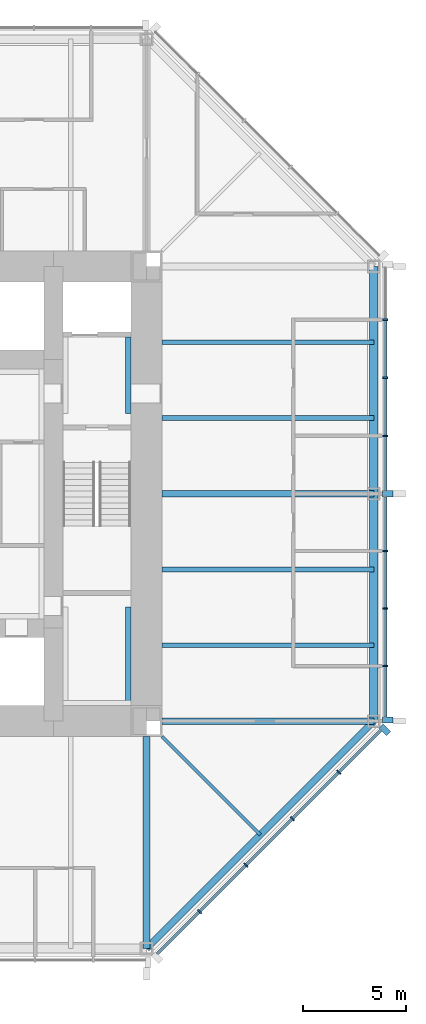
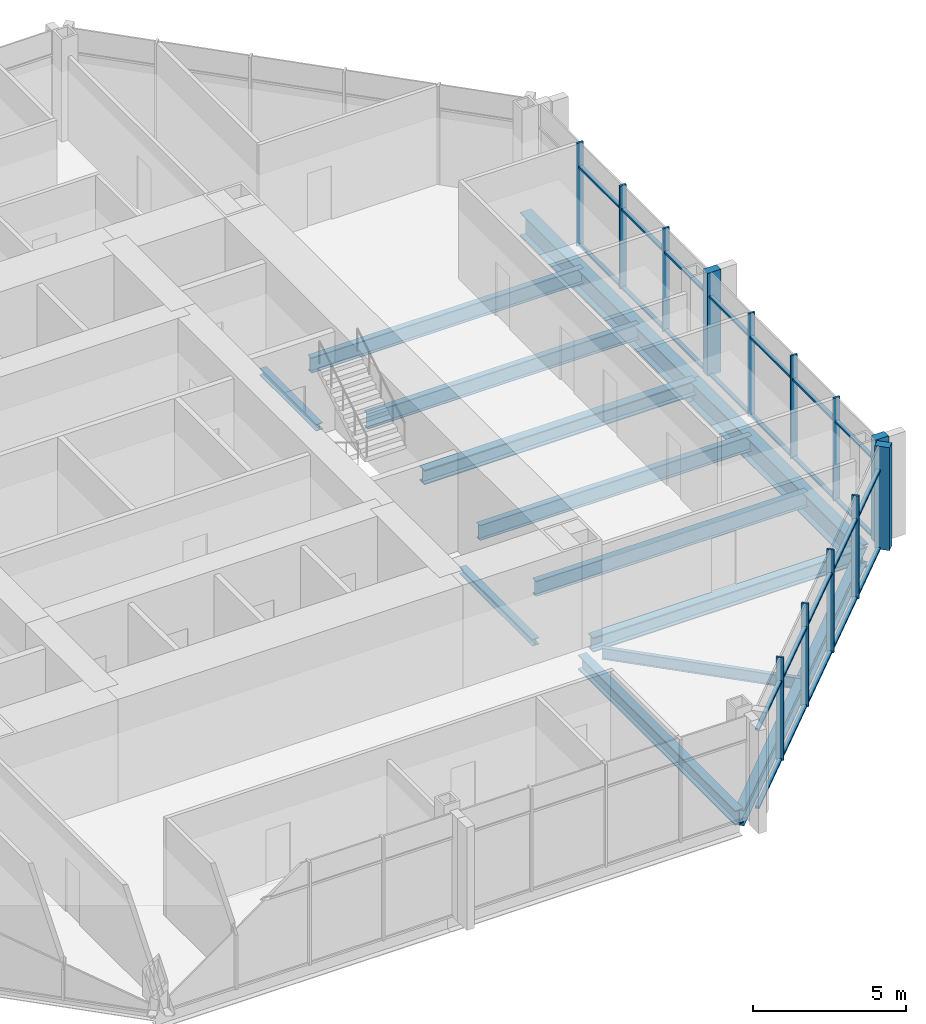
# One storey, part 4 of 12: 37 members, 13 beams, 2 elements without a shape of their own.
"""IFC4 building model written with IfcOpenShell, lengths in metres."""

from ifc_helpers import new_model, si_unit, direction, frame, origin, origin_2d, place, context, subcontext, project, spatial, rectangle, i_section, extrude, material, material_profile, profile_set, type_object, element, aggregate, save


model = new_model("IFC4")

# Units and contexts
model_context = context("Model", 3, precision=1e-05, world=origin(), true_north=direction((0.0, 1.0)))
body_context = subcontext(model_context, "Body", "Model", "MODEL_VIEW")
ifc_project = project(units=[si_unit("LENGTHUNIT", "METRE"), si_unit("AREAUNIT", "SQUARE_METRE"), si_unit("VOLUMEUNIT", "CUBIC_METRE"), si_unit("PLANEANGLEUNIT", "RADIAN"), si_unit("MASSUNIT", "GRAM", prefix="KILO")], contexts=[model_context])

# Site, building, storey
site_placement = place(None, origin())
site = spatial("IfcSite", under=ifc_project, at=site_placement, CompositionType="ELEMENT")
building_placement = place(site_placement, origin())
building = spatial("IfcBuilding", under=site, at=building_placement, Name="Trevanion Tower", CompositionType="ELEMENT")
storey_placement = place(building_placement, frame((0.0, 0.0, 154.10009765625)))
storey = spatial("IfcBuildingStorey", under=building, at=storey_placement, Name="L36", CompositionType="ELEMENT", Elevation=154.10009765625)

# Beams
ifc_material_1 = material(Name="Steel ASTM A992 Grade 50", Category="steel")
ifc_material_profile_1 = material_profile(ifc_material_1, i_section(OverallWidth=0.22900390625, OverallDepth=0.612060546875, WebThickness=0.011962890625, FlangeThickness=0.01953125, at=origin_2d()), Name="W24X84")
ifc_profile_set_1 = profile_set([ifc_material_profile_1], Name="Steel ASTM A992 Grade 50")
beam_type_1 = type_object("IfcBeamType", Name="B7 W24X84", PredefinedType="BEAM", material=ifc_profile_set_1)
for number, where, z_axis, x_axis, name in (
    (1, (11.75, -7.333251953125, -0.49609375), (1.0, 0.0, 0.0), (0.0, 1.0, 0.0), "B7 L36"),
    (2, (11.75, -3.666748046875, -0.49609375), (1.0, 0.0, 0.0), (0.0, 1.0, 0.0), "B7 L36"),
    (3, (11.75, 3.666748046875, -0.49609375), (1.0, 0.0, 0.0), (0.0, 1.0, 0.0), "B7 L36"),
    (4, (11.75, 7.333251953125, -0.49609375), (1.0, 0.0, 0.0), (0.0, 1.0, 0.0), "B7 L36"),
):
    element("IfcBeam", number, at=place(storey_placement, frame(where, z_axis=z_axis, x_axis=x_axis)), inside=storey, type_object=beam_type_1, Name=name, PredefinedType="BEAM", context=body_context, shape_type="SweptSolid", body=[
        extrude(i_section(OverallWidth=0.22900390625, OverallDepth=0.612060546875, WebThickness=0.011962890625, FlangeThickness=0.01953125, at=origin_2d()), origin(), (0.0, 0.0, 1.0), 10.25),
    ])
ifc_material_2 = material(Name="Steel ASTM A992 Grade 50", Category="steel")
ifc_material_profile_2 = material_profile(ifc_material_2, i_section(OverallWidth=0.15234375, OverallDepth=0.449462890625, WebThickness=0.007568359375, FlangeThickness=0.0107421875, at=origin_2d()), Name="W18X35")
ifc_profile_set_2 = profile_set([ifc_material_profile_2], Name="Steel ASTM A992 Grade 50")
beam_type_2 = type_object("IfcBeamType", Name="B8 W18X35", PredefinedType="BEAM", material=ifc_profile_set_2)
beam_1_placement = place(storey_placement, frame((11.75, -11.75, -0.414794921875), z_axis=(0.707106781187, -0.707106781187, 0.0), x_axis=(0.707106781187, 0.707106781187, 0.0)))
element("IfcBeam", 5, at=beam_1_placement, inside=storey, type_object=beam_type_2, Name="B8 L36", PredefinedType="BEAM", context=body_context, shape_type="SweptSolid", body=[
    extrude(i_section(OverallWidth=0.15234375, OverallDepth=0.449462890625, WebThickness=0.007568359375, FlangeThickness=0.0107421875, at=origin_2d()), origin(), (0.0, 0.0, 1.0), 6.717529296875),
])

# Curtain wall, members
ifc_material_3 = material(Name="Aluminium and glass", Category="aluminium")
curtain_wall_type = type_object("IfcCurtainWallType", Name="CW2 curtain wall", PredefinedType="USERDEFINED", material=ifc_material_3)
curtain_wall_1_placement = place(storey_placement, origin())
curtain_wall_1 = element("IfcCurtainWall", 6, at=curtain_wall_1_placement, inside=storey, type_object=curtain_wall_type, Name="CW2 L36 0", ObjectType="UNITISED CURTAIN WALL", PredefinedType="USERDEFINED")
ifc_material_4 = material(Name="Aluminium extrusion, anodised bronze", Category="aluminium")
ifc_material_profile_3 = material_profile(ifc_material_4, rectangle(XDim=0.074951171875, YDim=0.25, at=origin_2d()), Name="CW2 mullion")
ifc_profile_set_3 = profile_set([ifc_material_profile_3], Name="Aluminium extrusion, anodised bronze")
member_type_1 = type_object("IfcMemberType", Name="CW2 mullion", PredefinedType="MULLION", material=ifc_profile_set_3)
member_1_placement = place(storey_placement, frame((22.550048828125, -8.323486328125, -0.190185546875), z_axis=(0.0, 0.0, 1.0), x_axis=(0.0, 1.0, 0.0)))
member_1 = element("IfcMember", 7, at=member_1_placement, type_object=member_type_1, Name="CW2 mullion 2", PredefinedType="MULLION", context=body_context, shape_type="SweptSolid", body=[
    extrude(rectangle(XDim=0.074951171875, YDim=0.25, at=origin_2d()), origin(), (0.0, 0.0, 1.0), 4.10009765625),
])
member_2_placement = place(storey_placement, frame((22.550048828125, -5.548828125, -0.190185546875), z_axis=(0.0, 0.0, 1.0), x_axis=(0.0, 1.0, 0.0)))
member_2 = element("IfcMember", 8, at=member_2_placement, type_object=member_type_1, Name="CW2 mullion 3", PredefinedType="MULLION", context=body_context, shape_type="SweptSolid", body=[
    extrude(rectangle(XDim=0.074951171875, YDim=0.25, at=origin_2d()), origin(), (0.0, 0.0, 1.0), 4.10009765625),
])
member_3_placement = place(storey_placement, frame((22.550048828125, -2.7744140625, -0.190185546875), z_axis=(0.0, 0.0, 1.0), x_axis=(0.0, 1.0, 0.0)))
member_3 = element("IfcMember", 9, at=member_3_placement, type_object=member_type_1, Name="CW2 mullion 4", PredefinedType="MULLION", context=body_context, shape_type="SweptSolid", body=[
    extrude(rectangle(XDim=0.074951171875, YDim=0.25, at=origin_2d()), origin(), (0.0, 0.0, 1.0), 4.10009765625),
])
member_4_placement = place(storey_placement, frame((22.550048828125, 2.806884765625, -0.190185546875), z_axis=(0.0, 0.0, 1.0), x_axis=(0.0, 1.0, 0.0)))
member_4 = element("IfcMember", 10, at=member_4_placement, type_object=member_type_1, Name="CW2 mullion 6", PredefinedType="MULLION", context=body_context, shape_type="SweptSolid", body=[
    extrude(rectangle(XDim=0.074951171875, YDim=0.25, at=origin_2d()), origin(), (0.0, 0.0, 1.0), 4.10009765625),
])
member_5_placement = place(storey_placement, frame((22.550048828125, 5.614013671875, -0.190185546875), z_axis=(0.0, 0.0, 1.0), x_axis=(0.0, 1.0, 0.0)))
member_5 = element("IfcMember", 11, at=member_5_placement, type_object=member_type_1, Name="CW2 mullion 7", PredefinedType="MULLION", context=body_context, shape_type="SweptSolid", body=[
    extrude(rectangle(XDim=0.074951171875, YDim=0.25, at=origin_2d()), origin(), (0.0, 0.0, 1.0), 4.10009765625),
])
member_6_placement = place(storey_placement, frame((22.550048828125, 8.4208984375, -0.190185546875), z_axis=(0.0, 0.0, 1.0), x_axis=(0.0, 1.0, 0.0)))
member_6 = element("IfcMember", 12, at=member_6_placement, type_object=member_type_1, Name="CW2 mullion 8", PredefinedType="MULLION", context=body_context, shape_type="SweptSolid", body=[
    extrude(rectangle(XDim=0.074951171875, YDim=0.25, at=origin_2d()), origin(), (0.0, 0.0, 1.0), 4.10009765625),
])

curtain_wall_2_placement = place(storey_placement, origin())
curtain_wall_2 = element("IfcCurtainWall", 13, at=curtain_wall_2_placement, inside=storey, type_object=curtain_wall_type, Name="CW2 L36 7", ObjectType="UNITISED CURTAIN WALL", PredefinedType="USERDEFINED")
member_7_placement = place(storey_placement, frame((13.56591796875, -20.2119140625, -0.190185546875), z_axis=(0.0, 0.0, 1.0), x_axis=(0.707106781187, 0.707106781187, 0.0)))
member_7 = element("IfcMember", 14, at=member_7_placement, type_object=member_type_1, Name="CW2 mullion 2", PredefinedType="MULLION", context=body_context, shape_type="SweptSolid", body=[
    extrude(rectangle(XDim=0.074951171875, YDim=0.25, at=origin_2d()), origin(), (0.0, 0.0, 1.0), 4.10009765625),
])
member_8_placement = place(storey_placement, frame((15.811767578125, -17.966064453125, -0.190185546875), z_axis=(0.0, 0.0, 1.0), x_axis=(0.707106781187, 0.707106781187, 0.0)))
member_8 = element("IfcMember", 15, at=member_8_placement, type_object=member_type_1, Name="CW2 mullion 3", PredefinedType="MULLION", context=body_context, shape_type="SweptSolid", body=[
    extrude(rectangle(XDim=0.074951171875, YDim=0.25, at=origin_2d()), origin(), (0.0, 0.0, 1.0), 4.10009765625),
])
member_9_placement = place(storey_placement, frame((18.057861328125, -15.719970703125, -0.190185546875), z_axis=(0.0, 0.0, 1.0), x_axis=(0.707106781187, 0.707106781187, 0.0)))
member_9 = element("IfcMember", 16, at=member_9_placement, type_object=member_type_1, Name="CW2 mullion 4", PredefinedType="MULLION", context=body_context, shape_type="SweptSolid", body=[
    extrude(rectangle(XDim=0.074951171875, YDim=0.25, at=origin_2d()), origin(), (0.0, 0.0, 1.0), 4.10009765625),
])
member_10_placement = place(storey_placement, frame((20.303955078125, -13.473876953125, -0.190185546875), z_axis=(0.0, 0.0, 1.0), x_axis=(0.707106781187, 0.707106781187, 0.0)))
member_10 = element("IfcMember", 17, at=member_10_placement, type_object=member_type_1, Name="CW2 mullion 5", PredefinedType="MULLION", context=body_context, shape_type="SweptSolid", body=[
    extrude(rectangle(XDim=0.074951171875, YDim=0.25, at=origin_2d()), origin(), (0.0, 0.0, 1.0), 4.10009765625),
])

# Member
ifc_material_5 = material(Name="Aluminium extrusion, anodised bronze", Category="aluminium")
ifc_material_profile_4 = material_profile(ifc_material_5, rectangle(XDim=0.300048828125, YDim=0.5, at=origin_2d()), Name="CW2 pier mullion")
ifc_profile_set_4 = profile_set([ifc_material_profile_4], Name="Aluminium extrusion, anodised bronze")
member_type_2 = type_object("IfcMemberType", Name="CW2 pier mullion", PredefinedType="MULLION", material=ifc_profile_set_4)
member_11_placement = place(storey_placement, frame((22.675048828125, -10.94775390625, -0.190185546875), z_axis=(0.0, 0.0, 1.0), x_axis=(0.0, 1.0, 0.0)))
member_11 = element("IfcMember", 18, at=member_11_placement, type_object=member_type_2, Name="CW2 pier mullion 1", PredefinedType="MULLION", context=body_context, shape_type="SweptSolid", body=[
    extrude(rectangle(XDim=0.300048828125, YDim=0.5, at=origin_2d()), origin(), (0.0, 0.0, 1.0), 4.10009765625),
])

member_12_placement = place(storey_placement, frame((22.675048828125, 0.0, -0.190185546875), z_axis=(0.0, 0.0, 1.0), x_axis=(0.0, 1.0, 0.0)))
member_12 = element("IfcMember", 19, at=member_12_placement, type_object=member_type_2, Name="CW2 pier mullion 5", PredefinedType="MULLION", context=body_context, shape_type="SweptSolid", body=[
    extrude(rectangle(XDim=0.300048828125, YDim=0.5, at=origin_2d()), origin(), (0.0, 0.0, 1.0), 4.10009765625),
])

member_13_placement = place(storey_placement, frame((22.5322265625, -11.42236328125, -0.190185546875), z_axis=(0.0, 0.0, 1.0), x_axis=(0.707106781187, 0.707106781187, 0.0)))
member_13 = element("IfcMember", 20, at=member_13_placement, type_object=member_type_2, Name="CW2 pier mullion 6", PredefinedType="MULLION", context=body_context, shape_type="SweptSolid", body=[
    extrude(rectangle(XDim=0.300048828125, YDim=0.5, at=origin_2d()), origin(), (0.0, 0.0, 1.0), 4.10009765625),
])

ifc_material_6 = material(Name="Aluminium extrusion, anodised bronze", Category="aluminium")
ifc_material_profile_5 = material_profile(ifc_material_6, rectangle(XDim=0.14990234375, YDim=0.074951171875, at=origin_2d()), Name="CW2 transom")
ifc_profile_set_5 = profile_set([ifc_material_profile_5], Name="Aluminium extrusion, anodised bronze")
member_type_3 = type_object("IfcMemberType", Name="CW2 transom", PredefinedType="USERDEFINED", material=ifc_profile_set_5)
member_14_placement = place(storey_placement, frame((22.550048828125, -10.7978515625, -0.152587890625), z_axis=(0.0, 1.0, 0.0), x_axis=(-1.0, 0.0, 0.0)))
member_14 = element("IfcMember", 21, at=member_14_placement, type_object=member_type_3, Name="CW2 transom 1.1", ObjectType="TRANSOM", PredefinedType="USERDEFINED", context=body_context, shape_type="SweptSolid", body=[
    extrude(rectangle(XDim=0.14990234375, YDim=0.074951171875, at=origin_2d()), origin(), (0.0, 0.0, 1.0), 2.43701171875),
])

member_15_placement = place(storey_placement, frame((22.550048828125, -10.7978515625, 2.9599609375), z_axis=(0.0, 1.0, 0.0), x_axis=(-1.0, 0.0, 0.0)))
member_15 = element("IfcMember", 22, at=member_15_placement, type_object=member_type_3, Name="CW2 transom 1.2", ObjectType="TRANSOM", PredefinedType="USERDEFINED", context=body_context, shape_type="SweptSolid", body=[
    extrude(rectangle(XDim=0.14990234375, YDim=0.074951171875, at=origin_2d()), origin(), (0.0, 0.0, 1.0), 2.43701171875),
])

member_16_placement = place(storey_placement, frame((22.550048828125, -8.285888671875, -0.152587890625), z_axis=(0.0, 1.0, 0.0), x_axis=(-1.0, 0.0, 0.0)))
member_16 = element("IfcMember", 23, at=member_16_placement, type_object=member_type_3, Name="CW2 transom 2.1", ObjectType="TRANSOM", PredefinedType="USERDEFINED", context=body_context, shape_type="SweptSolid", body=[
    extrude(rectangle(XDim=0.14990234375, YDim=0.074951171875, at=origin_2d()), origin(), (0.0, 0.0, 1.0), 2.699462890625),
])

member_17_placement = place(storey_placement, frame((22.550048828125, -8.285888671875, 2.9599609375), z_axis=(0.0, 1.0, 0.0), x_axis=(-1.0, 0.0, 0.0)))
member_17 = element("IfcMember", 24, at=member_17_placement, type_object=member_type_3, Name="CW2 transom 2.2", ObjectType="TRANSOM", PredefinedType="USERDEFINED", context=body_context, shape_type="SweptSolid", body=[
    extrude(rectangle(XDim=0.14990234375, YDim=0.074951171875, at=origin_2d()), origin(), (0.0, 0.0, 1.0), 2.699462890625),
])

member_18_placement = place(storey_placement, frame((22.550048828125, -5.511474609375, -0.152587890625), z_axis=(0.0, 1.0, 0.0), x_axis=(-1.0, 0.0, 0.0)))
member_18 = element("IfcMember", 25, at=member_18_placement, type_object=member_type_3, Name="CW2 transom 3.1", ObjectType="TRANSOM", PredefinedType="USERDEFINED", context=body_context, shape_type="SweptSolid", body=[
    extrude(rectangle(XDim=0.14990234375, YDim=0.074951171875, at=origin_2d()), origin(), (0.0, 0.0, 1.0), 2.699462890625),
])

member_19_placement = place(storey_placement, frame((22.550048828125, -5.511474609375, 2.9599609375), z_axis=(0.0, 1.0, 0.0), x_axis=(-1.0, 0.0, 0.0)))
member_19 = element("IfcMember", 26, at=member_19_placement, type_object=member_type_3, Name="CW2 transom 3.2", ObjectType="TRANSOM", PredefinedType="USERDEFINED", context=body_context, shape_type="SweptSolid", body=[
    extrude(rectangle(XDim=0.14990234375, YDim=0.074951171875, at=origin_2d()), origin(), (0.0, 0.0, 1.0), 2.699462890625),
])

member_20_placement = place(storey_placement, frame((22.550048828125, -2.737060546875, -0.152587890625), z_axis=(0.0, 1.0, 0.0), x_axis=(-1.0, 0.0, 0.0)))
member_20 = element("IfcMember", 27, at=member_20_placement, type_object=member_type_3, Name="CW2 transom 4.1", ObjectType="TRANSOM", PredefinedType="USERDEFINED", context=body_context, shape_type="SweptSolid", body=[
    extrude(rectangle(XDim=0.14990234375, YDim=0.074951171875, at=origin_2d()), origin(), (0.0, 0.0, 1.0), 2.587158203125),
])

member_21_placement = place(storey_placement, frame((22.550048828125, -2.737060546875, 2.9599609375), z_axis=(0.0, 1.0, 0.0), x_axis=(-1.0, 0.0, 0.0)))
member_21 = element("IfcMember", 28, at=member_21_placement, type_object=member_type_3, Name="CW2 transom 4.2", ObjectType="TRANSOM", PredefinedType="USERDEFINED", context=body_context, shape_type="SweptSolid", body=[
    extrude(rectangle(XDim=0.14990234375, YDim=0.074951171875, at=origin_2d()), origin(), (0.0, 0.0, 1.0), 2.587158203125),
])

member_22_placement = place(storey_placement, frame((22.550048828125, 0.14990234375, -0.152587890625), z_axis=(0.0, 1.0, 0.0), x_axis=(-1.0, 0.0, 0.0)))
member_22 = element("IfcMember", 29, at=member_22_placement, type_object=member_type_3, Name="CW2 transom 5.1", ObjectType="TRANSOM", PredefinedType="USERDEFINED", context=body_context, shape_type="SweptSolid", body=[
    extrude(rectangle(XDim=0.14990234375, YDim=0.074951171875, at=origin_2d()), origin(), (0.0, 0.0, 1.0), 2.619384765625),
])

member_23_placement = place(storey_placement, frame((22.550048828125, 0.14990234375, 2.9599609375), z_axis=(0.0, 1.0, 0.0), x_axis=(-1.0, 0.0, 0.0)))
member_23 = element("IfcMember", 30, at=member_23_placement, type_object=member_type_3, Name="CW2 transom 5.2", ObjectType="TRANSOM", PredefinedType="USERDEFINED", context=body_context, shape_type="SweptSolid", body=[
    extrude(rectangle(XDim=0.14990234375, YDim=0.074951171875, at=origin_2d()), origin(), (0.0, 0.0, 1.0), 2.619384765625),
])

member_24_placement = place(storey_placement, frame((22.550048828125, 2.844482421875, -0.152587890625), z_axis=(0.0, 1.0, 0.0), x_axis=(-1.0, 0.0, 0.0)))
member_24 = element("IfcMember", 31, at=member_24_placement, type_object=member_type_3, Name="CW2 transom 6.1", ObjectType="TRANSOM", PredefinedType="USERDEFINED", context=body_context, shape_type="SweptSolid", body=[
    extrude(rectangle(XDim=0.14990234375, YDim=0.074951171875, at=origin_2d()), origin(), (0.0, 0.0, 1.0), 2.73193359375),
])

member_25_placement = place(storey_placement, frame((22.550048828125, 2.844482421875, 2.9599609375), z_axis=(0.0, 1.0, 0.0), x_axis=(-1.0, 0.0, 0.0)))
member_25 = element("IfcMember", 32, at=member_25_placement, type_object=member_type_3, Name="CW2 transom 6.2", ObjectType="TRANSOM", PredefinedType="USERDEFINED", context=body_context, shape_type="SweptSolid", body=[
    extrude(rectangle(XDim=0.14990234375, YDim=0.074951171875, at=origin_2d()), origin(), (0.0, 0.0, 1.0), 2.73193359375),
])

member_26_placement = place(storey_placement, frame((22.550048828125, 5.6513671875, -0.152587890625), z_axis=(0.0, 1.0, 0.0), x_axis=(-1.0, 0.0, 0.0)))
member_26 = element("IfcMember", 33, at=member_26_placement, type_object=member_type_3, Name="CW2 transom 7.1", ObjectType="TRANSOM", PredefinedType="USERDEFINED", context=body_context, shape_type="SweptSolid", body=[
    extrude(rectangle(XDim=0.14990234375, YDim=0.074951171875, at=origin_2d()), origin(), (0.0, 0.0, 1.0), 2.73193359375),
])

member_27_placement = place(storey_placement, frame((22.550048828125, 5.6513671875, 2.9599609375), z_axis=(0.0, 1.0, 0.0), x_axis=(-1.0, 0.0, 0.0)))
member_27 = element("IfcMember", 34, at=member_27_placement, type_object=member_type_3, Name="CW2 transom 7.2", ObjectType="TRANSOM", PredefinedType="USERDEFINED", context=body_context, shape_type="SweptSolid", body=[
    extrude(rectangle(XDim=0.14990234375, YDim=0.074951171875, at=origin_2d()), origin(), (0.0, 0.0, 1.0), 2.73193359375),
])

aggregate(curtain_wall_1, [member_11, member_1, member_2, member_3, member_12, member_4, member_5, member_6, member_14, member_15, member_16, member_17, member_18, member_19, member_20, member_21, member_22, member_23, member_24, member_25, member_26, member_27])

member_28_placement = place(storey_placement, frame((11.531982421875, -22.245849609375, -0.152587890625), z_axis=(0.707106781187, 0.707106781187, 0.0), x_axis=(-0.707106781187, 0.707106781187, 0.0)))
member_28 = element("IfcMember", 35, at=member_28_placement, type_object=member_type_3, Name="CW2 transom 1.1", ObjectType="TRANSOM", PredefinedType="USERDEFINED", context=body_context, shape_type="SweptSolid", body=[
    extrude(rectangle(XDim=0.14990234375, YDim=0.074951171875, at=origin_2d()), origin(), (0.0, 0.0, 1.0), 2.8388671875),
])

member_29_placement = place(storey_placement, frame((11.531982421875, -22.245849609375, 2.9599609375), z_axis=(0.707106781187, 0.707106781187, 0.0), x_axis=(-0.707106781187, 0.707106781187, 0.0)))
member_29 = element("IfcMember", 36, at=member_29_placement, type_object=member_type_3, Name="CW2 transom 1.2", ObjectType="TRANSOM", PredefinedType="USERDEFINED", context=body_context, shape_type="SweptSolid", body=[
    extrude(rectangle(XDim=0.14990234375, YDim=0.074951171875, at=origin_2d()), origin(), (0.0, 0.0, 1.0), 2.8388671875),
])

member_30_placement = place(storey_placement, frame((13.59228515625, -20.185546875, -0.152587890625), z_axis=(0.707106781187, 0.707106781187, 0.0), x_axis=(-0.707106781187, 0.707106781187, 0.0)))
member_30 = element("IfcMember", 37, at=member_30_placement, type_object=member_type_3, Name="CW2 transom 2.1", ObjectType="TRANSOM", PredefinedType="USERDEFINED", context=body_context, shape_type="SweptSolid", body=[
    extrude(rectangle(XDim=0.14990234375, YDim=0.074951171875, at=origin_2d()), origin(), (0.0, 0.0, 1.0), 3.1015625),
])

member_31_placement = place(storey_placement, frame((13.59228515625, -20.185546875, 2.9599609375), z_axis=(0.707106781187, 0.707106781187, 0.0), x_axis=(-0.707106781187, 0.707106781187, 0.0)))
member_31 = element("IfcMember", 38, at=member_31_placement, type_object=member_type_3, Name="CW2 transom 2.2", ObjectType="TRANSOM", PredefinedType="USERDEFINED", context=body_context, shape_type="SweptSolid", body=[
    extrude(rectangle(XDim=0.14990234375, YDim=0.074951171875, at=origin_2d()), origin(), (0.0, 0.0, 1.0), 3.1015625),
])

member_32_placement = place(storey_placement, frame((15.83837890625, -17.939453125, -0.152587890625), z_axis=(0.707106781187, 0.707106781187, 0.0), x_axis=(-0.707106781187, 0.707106781187, 0.0)))
member_32 = element("IfcMember", 39, at=member_32_placement, type_object=member_type_3, Name="CW2 transom 3.1", ObjectType="TRANSOM", PredefinedType="USERDEFINED", context=body_context, shape_type="SweptSolid", body=[
    extrude(rectangle(XDim=0.14990234375, YDim=0.074951171875, at=origin_2d()), origin(), (0.0, 0.0, 1.0), 3.1015625),
])

member_33_placement = place(storey_placement, frame((15.83837890625, -17.939453125, 2.9599609375), z_axis=(0.707106781187, 0.707106781187, 0.0), x_axis=(-0.707106781187, 0.707106781187, 0.0)))
member_33 = element("IfcMember", 40, at=member_33_placement, type_object=member_type_3, Name="CW2 transom 3.2", ObjectType="TRANSOM", PredefinedType="USERDEFINED", context=body_context, shape_type="SweptSolid", body=[
    extrude(rectangle(XDim=0.14990234375, YDim=0.074951171875, at=origin_2d()), origin(), (0.0, 0.0, 1.0), 3.1015625),
])

member_34_placement = place(storey_placement, frame((18.08447265625, -15.693359375, -0.152587890625), z_axis=(0.707106781187, 0.707106781187, 0.0), x_axis=(-0.707106781187, 0.707106781187, 0.0)))
member_34 = element("IfcMember", 41, at=member_34_placement, type_object=member_type_3, Name="CW2 transom 4.1", ObjectType="TRANSOM", PredefinedType="USERDEFINED", context=body_context, shape_type="SweptSolid", body=[
    extrude(rectangle(XDim=0.14990234375, YDim=0.074951171875, at=origin_2d()), origin(), (0.0, 0.0, 1.0), 3.10107421875),
])

member_35_placement = place(storey_placement, frame((18.08447265625, -15.693359375, 2.9599609375), z_axis=(0.707106781187, 0.707106781187, 0.0), x_axis=(-0.707106781187, 0.707106781187, 0.0)))
member_35 = element("IfcMember", 42, at=member_35_placement, type_object=member_type_3, Name="CW2 transom 4.2", ObjectType="TRANSOM", PredefinedType="USERDEFINED", context=body_context, shape_type="SweptSolid", body=[
    extrude(rectangle(XDim=0.14990234375, YDim=0.074951171875, at=origin_2d()), origin(), (0.0, 0.0, 1.0), 3.10107421875),
])

member_36_placement = place(storey_placement, frame((20.33056640625, -13.447509765625, -0.152587890625), z_axis=(0.707063781595, 0.707149778163, 0.0), x_axis=(-0.707149778163, 0.707063781595, 0.0)))
member_36 = element("IfcMember", 43, at=member_36_placement, type_object=member_type_3, Name="CW2 transom 5.1", ObjectType="TRANSOM", PredefinedType="USERDEFINED", context=body_context, shape_type="SweptSolid", body=[
    extrude(rectangle(XDim=0.14990234375, YDim=0.074951171875, at=origin_2d()), origin(), (0.0, 0.0, 1.0), 2.8388671875),
])

member_37_placement = place(storey_placement, frame((20.33056640625, -13.447509765625, 2.9599609375), z_axis=(0.707063781595, 0.707149778163, 0.0), x_axis=(-0.707149778163, 0.707063781595, 0.0)))
member_37 = element("IfcMember", 44, at=member_37_placement, type_object=member_type_3, Name="CW2 transom 5.2", ObjectType="TRANSOM", PredefinedType="USERDEFINED", context=body_context, shape_type="SweptSolid", body=[
    extrude(rectangle(XDim=0.14990234375, YDim=0.074951171875, at=origin_2d()), origin(), (0.0, 0.0, 1.0), 2.8388671875),
])

aggregate(curtain_wall_2, [member_7, member_8, member_9, member_10, member_13, member_28, member_29, member_30, member_31, member_32, member_33, member_34, member_35, member_36, member_37])

# Beams
ifc_material_7 = material(Name="Steel ASTM A992 Grade 50", Category="steel")
ifc_material_profile_6 = material_profile(ifc_material_7, i_section(OverallWidth=0.320068359375, OverallDepth=0.584228515625, WebThickness=0.023193359375, FlangeThickness=0.04150390625, at=origin_2d()), Name="W21X201")
ifc_profile_set_6 = profile_set([ifc_material_profile_6], Name="Steel ASTM A992 Grade 50")
beam_type_3 = type_object("IfcBeamType", Name="G4 W21X201", PredefinedType="BEAM", material=ifc_profile_set_6)
for number, where, z_axis, x_axis, name in (
    (45, (11.75, -11.0, -0.482177734375), (1.0, 0.0, 0.0), (0.0, 1.0, 0.0), "G4 L36"),
    (46, (11.75, 0.0, -0.482177734375), (1.0, 0.0, 0.0), (0.0, 1.0, 0.0), "G4 L36"),
    (47, (11.0, -11.75, -0.482177734375), (0.0, -1.0, 0.0), (1.0, 0.0, 0.0), "G4 L36"),
):
    element("IfcBeam", number, at=place(storey_placement, frame(where, z_axis=z_axis, x_axis=x_axis)), inside=storey, type_object=beam_type_3, Name=name, PredefinedType="BEAM", context=body_context, shape_type="SweptSolid", body=[
        extrude(i_section(OverallWidth=0.320068359375, OverallDepth=0.584228515625, WebThickness=0.023193359375, FlangeThickness=0.04150390625, at=origin_2d()), origin(), (0.0, 0.0, 1.0), 10.25),
    ])
ifc_material_8 = material(Name="Steel ASTM A992 Grade 50", Category="steel")
ifc_material_profile_7 = material_profile(ifc_material_8, i_section(OverallWidth=0.256591796875, OverallDepth=0.26416015625, WebThickness=0.011962890625, FlangeThickness=0.01953125, at=origin_2d()), Name="W10X68")
ifc_profile_set_7 = profile_set([ifc_material_profile_7], Name="Steel ASTM A992 Grade 50")
beam_type_4 = type_object("IfcBeamType", Name="LB1 W10X68", PredefinedType="BEAM", material=ifc_profile_set_7)
beam_2_placement = place(storey_placement, frame((10.12158203125, 3.875, -0.332275390625), z_axis=(0.0, 1.0, 0.0), x_axis=(-1.0, 0.0, 0.0)))
element("IfcBeam", 48, at=beam_2_placement, inside=storey, type_object=beam_type_4, Name="LB1 L36", PredefinedType="BEAM", context=body_context, shape_type="SweptSolid", body=[
    extrude(i_section(OverallWidth=0.256591796875, OverallDepth=0.26416015625, WebThickness=0.011962890625, FlangeThickness=0.01953125, at=origin_2d()), origin(), (0.0, 0.0, 1.0), 3.699951171875),
])
beam_3_placement = place(storey_placement, frame((10.12158203125, -10.25, -0.332275390625), z_axis=(0.0, 1.0, 0.0), x_axis=(-1.0, 0.0, 0.0)))
element("IfcBeam", 49, at=beam_3_placement, inside=storey, type_object=beam_type_4, Name="LB1 L36", PredefinedType="BEAM", context=body_context, shape_type="SweptSolid", body=[
    extrude(i_section(OverallWidth=0.256591796875, OverallDepth=0.26416015625, WebThickness=0.011962890625, FlangeThickness=0.01953125, at=origin_2d()), origin(), (0.0, 0.0, 1.0), 4.77490234375),
])
ifc_material_9 = material(Name="Steel ASTM A992 Grade 50", Category="steel")
ifc_material_profile_8 = material_profile(ifc_material_9, i_section(OverallWidth=0.419189453125, OverallDepth=0.927001953125, WebThickness=0.019287109375, FlangeThickness=0.031982421875, at=origin_2d()), Name="W36X231")
ifc_profile_set_8 = profile_set([ifc_material_profile_8], Name="Steel ASTM A992 Grade 50")
beam_type_5 = type_object("IfcBeamType", Name="SB4 W36X231", PredefinedType="SPANDREL", material=ifc_profile_set_8)
for number, where, z_axis, x_axis, name in (
    (50, (22.0, -11.0, -0.65380859375), (0.0, 1.0, 0.0), (-1.0, 0.0, 0.0), "SB4 L36"),
    (51, (22.0, 0.0, -0.65380859375), (0.0, 1.0, 0.0), (-1.0, 0.0, 0.0), "SB4 L36"),
):
    element("IfcBeam", number, at=place(storey_placement, frame(where, z_axis=z_axis, x_axis=x_axis)), inside=storey, type_object=beam_type_5, Name=name, PredefinedType="SPANDREL", context=body_context, shape_type="SweptSolid", body=[
        extrude(i_section(OverallWidth=0.419189453125, OverallDepth=0.927001953125, WebThickness=0.019287109375, FlangeThickness=0.031982421875, at=origin_2d()), origin(), (0.0, 0.0, 1.0), 11.0),
    ])
ifc_material_10 = material(Name="Steel ASTM A992 Grade 50", Category="steel")
ifc_material_profile_9 = material_profile(ifc_material_10, i_section(OverallWidth=0.32763671875, OverallDepth=0.62744140625, WebThickness=0.0166015625, FlangeThickness=0.027587890625, at=origin_2d()), Name="W24X146")
ifc_profile_set_9 = profile_set([ifc_material_profile_9], Name="Steel ASTM A992 Grade 50")
beam_type_6 = type_object("IfcBeamType", Name="SB5 W24X146", PredefinedType="SPANDREL", material=ifc_profile_set_9)
beam_4_placement = place(storey_placement, frame((11.0, -22.0, -0.50390625), z_axis=(0.707106781187, 0.707106781187, 0.0), x_axis=(-0.707106781187, 0.707106781187, 0.0)))
element("IfcBeam", 52, at=beam_4_placement, inside=storey, type_object=beam_type_6, Name="SB5 L36", PredefinedType="SPANDREL", context=body_context, shape_type="SweptSolid", body=[
    extrude(i_section(OverallWidth=0.32763671875, OverallDepth=0.62744140625, WebThickness=0.0166015625, FlangeThickness=0.027587890625, at=origin_2d()), origin(), (0.0, 0.0, 1.0), 15.556396484375),
])

save(model, "model.ifc")
